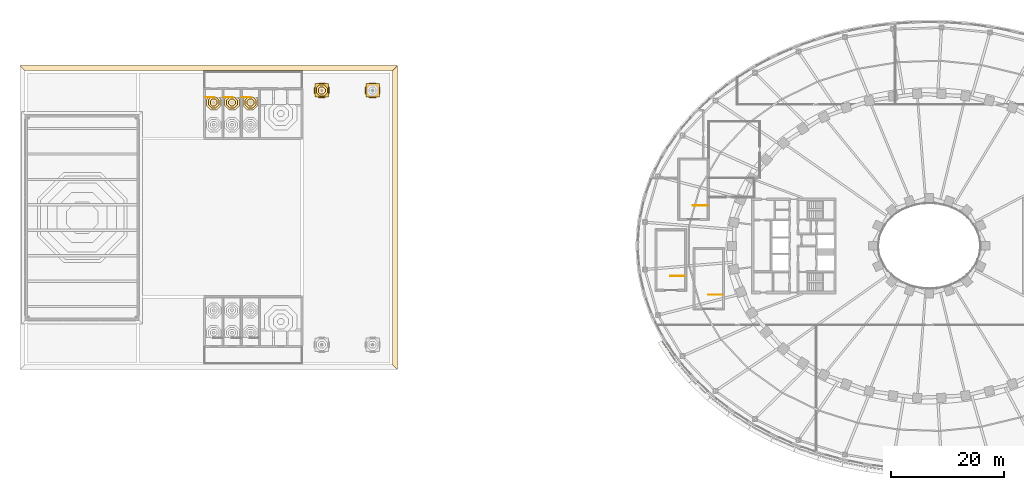
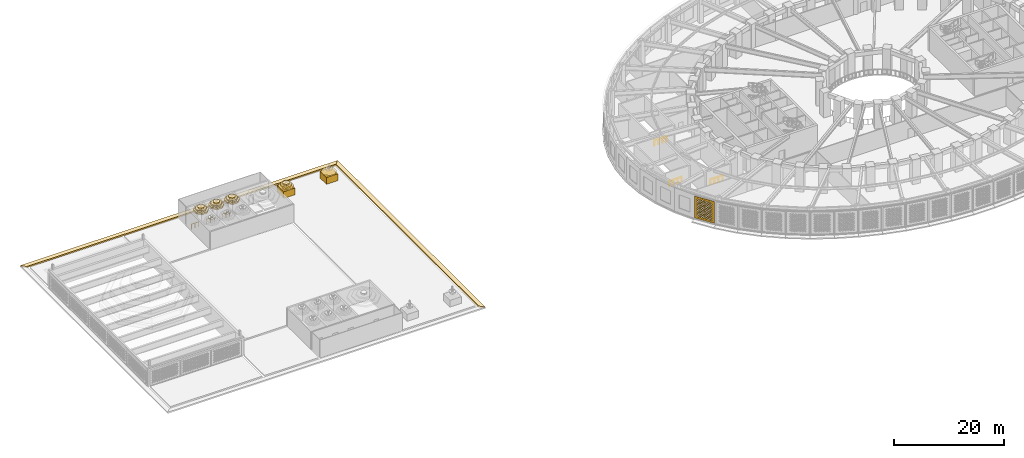
# One storey, part 39 of 63: 18 coverings, 6 railings.
"""IFC4 building model written with IfcOpenShell, lengths in metres."""

from ifc_helpers import new_model, si_unit, direction, frame, origin, origin_2d, place, context, subcontext, project, spatial, polyline, rectangle, outline, extrude, material, layer, layer_set, type_object, element, save


model = new_model("IFC4")

# Units and contexts
model_context = context("Model", 3, precision=1e-05, world=origin(), true_north=direction((0.0, 1.0)))
body_context = subcontext(model_context, "Body", "Model", "MODEL_VIEW")
ifc_project = project(units=[si_unit("LENGTHUNIT", "METRE"), si_unit("AREAUNIT", "SQUARE_METRE"), si_unit("VOLUMEUNIT", "CUBIC_METRE"), si_unit("PLANEANGLEUNIT", "RADIAN"), si_unit("MASSUNIT", "GRAM", prefix="KILO")], contexts=[model_context])

# Site, building, storey
site_placement = place(None, origin())
site = spatial("IfcSite", under=ifc_project, at=site_placement, CompositionType="ELEMENT")
building_placement = place(site_placement, origin())
building = spatial("IfcBuilding", under=site, at=building_placement, Name="Noorbagh Ring Tower", CompositionType="ELEMENT")
storey_placement = place(building_placement, frame((0.0, 0.0, 25.0)))
storey = spatial("IfcBuildingStorey", under=building, at=storey_placement, Name="L04", CompositionType="ELEMENT", Elevation=25.0)

# Railings
ifc_material_1 = material(Name="Stainless steel", Category="steel")
railing_type_1 = type_object("IfcRailingType", Name="GND-STAIR-GUARD", PredefinedType="GUARDRAIL", material=ifc_material_1)
for number, where, name in (
    (1, (-36.550048828125, -8.64990234375, 0.0), "L04 ST-P1 top well guard"),
    (2, (-43.25, -5.35009765625, 0.0), "L04 ST-P3 top well guard"),
    (3, (-39.25, 7.14990234375, 0.0), "L04 ST-P7 top well guard"),
):
    element("IfcRailing", number, at=place(storey_placement, frame(where)), inside=storey, type_object=railing_type_1, Name=name, PredefinedType="GUARDRAIL", context=body_context, shape_type="SweptSolid", body=[
        extrude(rectangle(XDim=0.048095703125, YDim=0.048095703125, at=origin_2d()), frame((0.0, 0.0, 1.076171875), z_axis=(-1.0, 0.0, 0.0), x_axis=(0.0, -1.0, 0.0)), (0.0, 0.0, 1.0), 2.550048828125),
        extrude(rectangle(XDim=0.0419921875, YDim=0.0419921875, at=origin_2d()), origin(), (0.0, 0.0, 1.0), 1.052001953125),
        extrude(rectangle(XDim=0.0419921875, YDim=0.0419921875, at=origin_2d()), frame((-0.85009765625, 0.0, 0.0)), (0.0, 0.0, 1.0), 1.052001953125),
        extrude(rectangle(XDim=0.0419921875, YDim=0.0419921875, at=origin_2d()), frame((-1.699951171875, 0.0, 0.0)), (0.0, 0.0, 1.0), 1.052001953125),
        extrude(rectangle(XDim=0.0419921875, YDim=0.0419921875, at=origin_2d()), frame((-2.550048828125, 0.0, 0.0)), (0.0, 0.0, 1.0), 1.052001953125),
    ])

# Coverings
ifc_material_2 = material(Name="Red sandstone eave", Category="masonry")
covering_type_1 = type_object("IfcCoveringType", Name="STH-CHHAJJA", PredefinedType="USERDEFINED", material=ifc_material_2)
covering_1_placement = place(storey_placement, frame((0.0, 0.0, -0.300048828125)))
element("IfcCovering", 4, at=covering_1_placement, inside=storey, type_object=covering_type_1, Name="Chhajja eave at the roof edge", ObjectType="CHHAJJA", PredefinedType="USERDEFINED", context=body_context, shape_type="SweptSolid", body=[
    extrude(outline(polyline([(-95.0, -21.0), (-95.0, 31.0), (-94.10009765625, 31.89990234375), (-94.10009765625, -21.89990234375), (-95.0, -21.0)])), origin(), (0.0, 0.0, 1.0), 0.300048828125),
])
covering_2_placement = place(storey_placement, frame((0.0, 0.0, -0.300048828125)))
element("IfcCovering", 5, at=covering_2_placement, inside=storey, type_object=covering_type_1, Name="Chhajja eave at the roof edge", ObjectType="CHHAJJA", PredefinedType="USERDEFINED", context=body_context, shape_type="SweptSolid", body=[
    extrude(outline(polyline([(-95.0, 31.0), (-160.0, 31.0), (-160.89990234375, 31.89990234375), (-94.10009765625, 31.89990234375), (-95.0, 31.0)])), origin(), (0.0, 0.0, 1.0), 0.300048828125),
])
ifc_material_3 = material(Name="Cream sandstone dome cladding", Category="masonry")
ifc_layer_1 = layer(ifc_material_3, 0.300048828125)
ifc_layer_set_1 = layer_set([ifc_layer_1], Name="Cream sandstone dome cladding")
covering_type_2 = type_object("IfcCoveringType", Name="STH-DOME", PredefinedType="ROOFING", material=ifc_layer_set_1)
covering_3_placement = place(storey_placement, frame((0.0, 0.0, 4.199951171875)))
element("IfcCovering", 6, at=covering_3_placement, inside=storey, type_object=covering_type_2, Name="Dome over the stair head", PredefinedType="ROOFING", context=body_context, shape_type="SweptSolid", body=[
    extrude(outline(polyline([(-125.30859375, 25.92529296875), (-126.07958984375, 26.696533203125), (-127.17041015625, 26.696533203125), (-127.94140625, 25.92529296875), (-127.94140625, 24.834716796875), (-127.17041015625, 24.0634765625), (-126.07958984375, 24.0634765625), (-125.30859375, 24.834716796875), (-125.30859375, 25.92529296875)])), origin(), (0.0, 0.0, 1.0), 0.320068359375),
])
covering_4_placement = place(storey_placement, frame((0.0, 0.0, 4.52001953125)))
element("IfcCovering", 7, at=covering_4_placement, inside=storey, type_object=covering_type_2, Name="Dome over the stair head", PredefinedType="ROOFING", context=body_context, shape_type="SweptSolid", body=[
    extrude(outline(polyline([(-125.663818359375, 25.778076171875), (-126.226806640625, 26.341064453125), (-127.023193359375, 26.341064453125), (-127.586181640625, 25.778076171875), (-127.586181640625, 24.98193359375), (-127.023193359375, 24.4189453125), (-126.226806640625, 24.4189453125), (-125.663818359375, 24.98193359375), (-125.663818359375, 25.778076171875)])), origin(), (0.0, 0.0, 1.0), 0.320068359375),
])
covering_5_placement = place(storey_placement, frame((0.0, 0.0, 4.840087890625)))
element("IfcCovering", 8, at=covering_5_placement, inside=storey, type_object=covering_type_2, Name="Dome over the stair head", PredefinedType="ROOFING", context=body_context, shape_type="SweptSolid", body=[
    extrude(outline(polyline([(-126.019287109375, 25.630859375), (-126.374267578125, 25.985595703125), (-126.875732421875, 25.985595703125), (-127.230712890625, 25.630859375), (-127.230712890625, 25.129150390625), (-126.875732421875, 24.7744140625), (-126.374267578125, 24.7744140625), (-126.019287109375, 25.129150390625), (-126.019287109375, 25.630859375)])), origin(), (0.0, 0.0, 1.0), 0.31982421875),
])
covering_6_placement = place(storey_placement, frame((0.0, 0.0, 4.199951171875)))
element("IfcCovering", 9, at=covering_6_placement, inside=storey, type_object=covering_type_2, Name="Dome over the stair head", PredefinedType="ROOFING", context=body_context, shape_type="SweptSolid", body=[
    extrude(outline(polyline([(-122.05859375, 25.92529296875), (-122.82958984375, 26.696533203125), (-123.92041015625, 26.696533203125), (-124.69140625, 25.92529296875), (-124.69140625, 24.834716796875), (-123.92041015625, 24.0634765625), (-122.82958984375, 24.0634765625), (-122.05859375, 24.834716796875), (-122.05859375, 25.92529296875)])), origin(), (0.0, 0.0, 1.0), 0.320068359375),
])
covering_7_placement = place(storey_placement, frame((0.0, 0.0, 4.52001953125)))
element("IfcCovering", 10, at=covering_7_placement, inside=storey, type_object=covering_type_2, Name="Dome over the stair head", PredefinedType="ROOFING", context=body_context, shape_type="SweptSolid", body=[
    extrude(outline(polyline([(-122.413818359375, 25.778076171875), (-122.976806640625, 26.341064453125), (-123.773193359375, 26.341064453125), (-124.336181640625, 25.778076171875), (-124.336181640625, 24.98193359375), (-123.773193359375, 24.4189453125), (-122.976806640625, 24.4189453125), (-122.413818359375, 24.98193359375), (-122.413818359375, 25.778076171875)])), origin(), (0.0, 0.0, 1.0), 0.320068359375),
])
covering_8_placement = place(storey_placement, frame((0.0, 0.0, 4.840087890625)))
element("IfcCovering", 11, at=covering_8_placement, inside=storey, type_object=covering_type_2, Name="Dome over the stair head", PredefinedType="ROOFING", context=body_context, shape_type="SweptSolid", body=[
    extrude(outline(polyline([(-122.769287109375, 25.630859375), (-123.124267578125, 25.985595703125), (-123.625732421875, 25.985595703125), (-123.980712890625, 25.630859375), (-123.980712890625, 25.129150390625), (-123.625732421875, 24.7744140625), (-123.124267578125, 24.7744140625), (-122.769287109375, 25.129150390625), (-122.769287109375, 25.630859375)])), origin(), (0.0, 0.0, 1.0), 0.31982421875),
])
covering_9_placement = place(storey_placement, frame((0.0, 0.0, 4.199951171875)))
element("IfcCovering", 12, at=covering_9_placement, inside=storey, type_object=covering_type_2, Name="Dome over the stair head", PredefinedType="ROOFING", context=body_context, shape_type="SweptSolid", body=[
    extrude(outline(polyline([(-118.80859375, 25.92529296875), (-119.57958984375, 26.696533203125), (-120.67041015625, 26.696533203125), (-121.44140625, 25.92529296875), (-121.44140625, 24.834716796875), (-120.67041015625, 24.0634765625), (-119.57958984375, 24.0634765625), (-118.80859375, 24.834716796875), (-118.80859375, 25.92529296875)])), origin(), (0.0, 0.0, 1.0), 0.320068359375),
])
covering_10_placement = place(storey_placement, frame((0.0, 0.0, 4.52001953125)))
element("IfcCovering", 13, at=covering_10_placement, inside=storey, type_object=covering_type_2, Name="Dome over the stair head", PredefinedType="ROOFING", context=body_context, shape_type="SweptSolid", body=[
    extrude(outline(polyline([(-119.163818359375, 25.778076171875), (-119.726806640625, 26.341064453125), (-120.523193359375, 26.341064453125), (-121.086181640625, 25.778076171875), (-121.086181640625, 24.98193359375), (-120.523193359375, 24.4189453125), (-119.726806640625, 24.4189453125), (-119.163818359375, 24.98193359375), (-119.163818359375, 25.778076171875)])), origin(), (0.0, 0.0, 1.0), 0.320068359375),
])
covering_11_placement = place(storey_placement, frame((0.0, 0.0, 4.840087890625)))
element("IfcCovering", 14, at=covering_11_placement, inside=storey, type_object=covering_type_2, Name="Dome over the stair head", PredefinedType="ROOFING", context=body_context, shape_type="SweptSolid", body=[
    extrude(outline(polyline([(-119.519287109375, 25.630859375), (-119.874267578125, 25.985595703125), (-120.375732421875, 25.985595703125), (-120.730712890625, 25.630859375), (-120.730712890625, 25.129150390625), (-120.375732421875, 24.7744140625), (-119.874267578125, 24.7744140625), (-119.519287109375, 25.129150390625), (-119.519287109375, 25.630859375)])), origin(), (0.0, 0.0, 1.0), 0.31982421875),
])
covering_12_placement = place(storey_placement, frame((0.0, 0.0, 1.5)))
element("IfcCovering", 15, at=covering_12_placement, inside=storey, type_object=covering_type_2, Name="Dome over the stair head", PredefinedType="ROOFING", context=body_context, shape_type="SweptSolid", body=[
    extrude(outline(polyline([(-97.160400390625, 28.054931640625), (-97.945068359375, 28.839599609375), (-99.054931640625, 28.839599609375), (-99.839599609375, 28.054931640625), (-99.839599609375, 26.945068359375), (-99.054931640625, 26.160400390625), (-97.945068359375, 26.160400390625), (-97.160400390625, 26.945068359375), (-97.160400390625, 28.054931640625)])), origin(), (0.0, 0.0, 1.0), 0.320068359375),
])
covering_13_placement = place(storey_placement, frame((0.0, 0.0, 1.5)))
element("IfcCovering", 16, at=covering_13_placement, inside=storey, type_object=covering_type_2, Name="Dome over the stair head", PredefinedType="ROOFING", context=body_context, shape_type="SweptSolid", body=[
    extrude(outline(polyline([(-106.160400390625, 28.054931640625), (-106.945068359375, 28.839599609375), (-108.054931640625, 28.839599609375), (-108.839599609375, 28.054931640625), (-108.839599609375, 26.945068359375), (-108.054931640625, 26.160400390625), (-106.945068359375, 26.160400390625), (-106.160400390625, 26.945068359375), (-106.160400390625, 28.054931640625)])), origin(), (0.0, 0.0, 1.0), 0.320068359375),
])
covering_14_placement = place(storey_placement, frame((0.0, 0.0, 1.820068359375)))
element("IfcCovering", 17, at=covering_14_placement, inside=storey, type_object=covering_type_2, Name="Dome over the stair head", PredefinedType="ROOFING", context=body_context, shape_type="SweptSolid", body=[
    extrude(outline(polyline([(-106.522216796875, 27.905029296875), (-107.094970703125, 28.477783203125), (-107.905029296875, 28.477783203125), (-108.477783203125, 27.905029296875), (-108.477783203125, 27.094970703125), (-107.905029296875, 26.522216796875), (-107.094970703125, 26.522216796875), (-106.522216796875, 27.094970703125), (-106.522216796875, 27.905029296875)])), origin(), (0.0, 0.0, 1.0), 0.31982421875),
])
covering_15_placement = place(storey_placement, frame((0.0, 0.0, 2.139892578125)))
element("IfcCovering", 18, at=covering_15_placement, inside=storey, type_object=covering_type_2, Name="Dome over the stair head", PredefinedType="ROOFING", context=body_context, shape_type="SweptSolid", body=[
    extrude(outline(polyline([(-106.8837890625, 27.755126953125), (-107.244873046875, 28.1162109375), (-107.755126953125, 28.1162109375), (-108.1162109375, 27.755126953125), (-108.1162109375, 27.244873046875), (-107.755126953125, 26.8837890625), (-107.244873046875, 26.8837890625), (-106.8837890625, 27.244873046875), (-106.8837890625, 27.755126953125)])), origin(), (0.0, 0.0, 1.0), 0.320068359375),
])
ifc_material_4 = material(Name="Red sandstone cladding", Category="masonry")
ifc_layer_2 = layer(ifc_material_4, 0.199951171875)
ifc_layer_set_2 = layer_set([ifc_layer_2], Name="Red sandstone cladding")
covering_type_3 = type_object("IfcCoveringType", Name="STH-KIOSK", PredefinedType="CLADDING", material=ifc_layer_set_2)
covering_16_placement = place(storey_placement, origin())
element("IfcCovering", 19, at=covering_16_placement, inside=storey, type_object=covering_type_3, Name="Roof kiosk", ObjectType="KIOSK", PredefinedType="CLADDING", context=body_context, shape_type="SweptSolid", body=[
    extrude(outline(polyline([(-99.699951171875, 26.300048828125), (-97.300048828125, 26.300048828125), (-97.300048828125, 28.699951171875), (-99.699951171875, 28.699951171875), (-99.699951171875, 26.300048828125)])), origin(), (0.0, 0.0, 1.0), 1.5),
])
covering_17_placement = place(storey_placement, origin())
element("IfcCovering", 20, at=covering_17_placement, inside=storey, type_object=covering_type_3, Name="Roof kiosk", ObjectType="KIOSK", PredefinedType="CLADDING", context=body_context, shape_type="SweptSolid", body=[
    extrude(outline(polyline([(-108.699951171875, 26.300048828125), (-106.300048828125, 26.300048828125), (-106.300048828125, 28.699951171875), (-108.699951171875, 28.699951171875), (-108.699951171875, 26.300048828125)])), origin(), (0.0, 0.0, 1.0), 1.5),
])
ifc_material_5 = material(Name="Red sandstone jali", Category="masonry")
ifc_layer_3 = layer(ifc_material_5, 0.0400390625)
ifc_layer_set_3 = layer_set([ifc_layer_3], Name="Red sandstone jali")
covering_type_4 = type_object("IfcCoveringType", Name="STY-JALI", PredefinedType="USERDEFINED", material=ifc_layer_set_3)
covering_18_placement = place(storey_placement, frame((-47.31591796875, -16.9443359375, 0.449951171875), z_axis=(-0.826637007867, -0.562735512675, 0.0), x_axis=(0.562735512675, -0.826637007867, 0.0)))
element("IfcCovering", 21, at=covering_18_placement, inside=storey, type_object=covering_type_4, Name="Jali screen", ObjectType="SCREEN", PredefinedType="USERDEFINED", context=body_context, shape_type="SweptSolid", body=[
    extrude(outline(polyline([(0.0, 0.0), (4.095458984375, 0.0), (4.095458984375, 4.85009765625), (0.0, 4.85009765625), (0.0, 0.0)]), holes=[polyline([(0.74267578125, 0.550048828125), (0.922607421875, 0.3701171875), (1.102783203125, 0.550048828125), (0.922607421875, 0.72998046875), (0.74267578125, 0.550048828125)]), polyline([(1.24267578125, 0.550048828125), (1.422607421875, 0.3701171875), (1.602783203125, 0.550048828125), (1.422607421875, 0.72998046875), (1.24267578125, 0.550048828125)]), polyline([(1.74267578125, 0.550048828125), (1.922607421875, 0.3701171875), (2.102783203125, 0.550048828125), (1.922607421875, 0.72998046875), (1.74267578125, 0.550048828125)]), polyline([(2.24267578125, 0.550048828125), (2.422607421875, 0.3701171875), (2.602783203125, 0.550048828125), (2.422607421875, 0.72998046875), (2.24267578125, 0.550048828125)]), polyline([(2.74267578125, 0.550048828125), (2.922607421875, 0.3701171875), (3.102783203125, 0.550048828125), (2.922607421875, 0.72998046875), (2.74267578125, 0.550048828125)]), polyline([(3.24267578125, 0.550048828125), (3.422607421875, 0.3701171875), (3.602783203125, 0.550048828125), (3.422607421875, 0.72998046875), (3.24267578125, 0.550048828125)]), polyline([(0.49267578125, 0.800048828125), (0.672607421875, 0.6201171875), (0.852783203125, 0.800048828125), (0.672607421875, 0.97998046875), (0.49267578125, 0.800048828125)]), polyline([(0.99267578125, 0.800048828125), (1.172607421875, 0.6201171875), (1.352783203125, 0.800048828125), (1.172607421875, 0.97998046875), (0.99267578125, 0.800048828125)]), polyline([(1.49267578125, 0.800048828125), (1.672607421875, 0.6201171875), (1.852783203125, 0.800048828125), (1.672607421875, 0.97998046875), (1.49267578125, 0.800048828125)]), polyline([(1.99267578125, 0.800048828125), (2.172607421875, 0.6201171875), (2.352783203125, 0.800048828125), (2.172607421875, 0.97998046875), (1.99267578125, 0.800048828125)]), polyline([(2.49267578125, 0.800048828125), (2.672607421875, 0.6201171875), (2.852783203125, 0.800048828125), (2.672607421875, 0.97998046875), (2.49267578125, 0.800048828125)]), polyline([(2.99267578125, 0.800048828125), (3.172607421875, 0.6201171875), (3.352783203125, 0.800048828125), (3.172607421875, 0.97998046875), (2.99267578125, 0.800048828125)]), polyline([(0.74267578125, 1.050048828125), (0.922607421875, 0.8701171875), (1.102783203125, 1.050048828125), (0.922607421875, 1.22998046875), (0.74267578125, 1.050048828125)]), polyline([(1.24267578125, 1.050048828125), (1.422607421875, 0.8701171875), (1.602783203125, 1.050048828125), (1.422607421875, 1.22998046875), (1.24267578125, 1.050048828125)]), polyline([(1.74267578125, 1.050048828125), (1.922607421875, 0.8701171875), (2.102783203125, 1.050048828125), (1.922607421875, 1.22998046875), (1.74267578125, 1.050048828125)]), polyline([(2.24267578125, 1.050048828125), (2.422607421875, 0.8701171875), (2.602783203125, 1.050048828125), (2.422607421875, 1.22998046875), (2.24267578125, 1.050048828125)]), polyline([(2.74267578125, 1.050048828125), (2.922607421875, 0.8701171875), (3.102783203125, 1.050048828125), (2.922607421875, 1.22998046875), (2.74267578125, 1.050048828125)]), polyline([(3.24267578125, 1.050048828125), (3.422607421875, 0.8701171875), (3.602783203125, 1.050048828125), (3.422607421875, 1.22998046875), (3.24267578125, 1.050048828125)]), polyline([(0.49267578125, 1.300048828125), (0.672607421875, 1.1201171875), (0.852783203125, 1.300048828125), (0.672607421875, 1.47998046875), (0.49267578125, 1.300048828125)]), polyline([(0.99267578125, 1.300048828125), (1.172607421875, 1.1201171875), (1.352783203125, 1.300048828125), (1.172607421875, 1.47998046875), (0.99267578125, 1.300048828125)]), polyline([(1.49267578125, 1.300048828125), (1.672607421875, 1.1201171875), (1.852783203125, 1.300048828125), (1.672607421875, 1.47998046875), (1.49267578125, 1.300048828125)]), polyline([(1.99267578125, 1.300048828125), (2.172607421875, 1.1201171875), (2.352783203125, 1.300048828125), (2.172607421875, 1.47998046875), (1.99267578125, 1.300048828125)]), polyline([(2.49267578125, 1.300048828125), (2.672607421875, 1.1201171875), (2.852783203125, 1.300048828125), (2.672607421875, 1.47998046875), (2.49267578125, 1.300048828125)]), polyline([(2.99267578125, 1.300048828125), (3.172607421875, 1.1201171875), (3.352783203125, 1.300048828125), (3.172607421875, 1.47998046875), (2.99267578125, 1.300048828125)]), polyline([(0.74267578125, 1.550048828125), (0.922607421875, 1.3701171875), (1.102783203125, 1.550048828125), (0.922607421875, 1.72998046875), (0.74267578125, 1.550048828125)]), polyline([(1.24267578125, 1.550048828125), (1.422607421875, 1.3701171875), (1.602783203125, 1.550048828125), (1.422607421875, 1.72998046875), (1.24267578125, 1.550048828125)]), polyline([(1.74267578125, 1.550048828125), (1.922607421875, 1.3701171875), (2.102783203125, 1.550048828125), (1.922607421875, 1.72998046875), (1.74267578125, 1.550048828125)]), polyline([(2.24267578125, 1.550048828125), (2.422607421875, 1.3701171875), (2.602783203125, 1.550048828125), (2.422607421875, 1.72998046875), (2.24267578125, 1.550048828125)]), polyline([(2.74267578125, 1.550048828125), (2.922607421875, 1.3701171875), (3.102783203125, 1.550048828125), (2.922607421875, 1.72998046875), (2.74267578125, 1.550048828125)]), polyline([(3.24267578125, 1.550048828125), (3.422607421875, 1.3701171875), (3.602783203125, 1.550048828125), (3.422607421875, 1.72998046875), (3.24267578125, 1.550048828125)]), polyline([(0.49267578125, 1.800048828125), (0.672607421875, 1.6201171875), (0.852783203125, 1.800048828125), (0.672607421875, 1.97998046875), (0.49267578125, 1.800048828125)]), polyline([(0.99267578125, 1.800048828125), (1.172607421875, 1.6201171875), (1.352783203125, 1.800048828125), (1.172607421875, 1.97998046875), (0.99267578125, 1.800048828125)]), polyline([(1.49267578125, 1.800048828125), (1.672607421875, 1.6201171875), (1.852783203125, 1.800048828125), (1.672607421875, 1.97998046875), (1.49267578125, 1.800048828125)]), polyline([(1.99267578125, 1.800048828125), (2.172607421875, 1.6201171875), (2.352783203125, 1.800048828125), (2.172607421875, 1.97998046875), (1.99267578125, 1.800048828125)]), polyline([(2.49267578125, 1.800048828125), (2.672607421875, 1.6201171875), (2.852783203125, 1.800048828125), (2.672607421875, 1.97998046875), (2.49267578125, 1.800048828125)]), polyline([(2.99267578125, 1.800048828125), (3.172607421875, 1.6201171875), (3.352783203125, 1.800048828125), (3.172607421875, 1.97998046875), (2.99267578125, 1.800048828125)]), polyline([(0.74267578125, 2.050048828125), (0.922607421875, 1.8701171875), (1.102783203125, 2.050048828125), (0.922607421875, 2.22998046875), (0.74267578125, 2.050048828125)]), polyline([(1.24267578125, 2.050048828125), (1.422607421875, 1.8701171875), (1.602783203125, 2.050048828125), (1.422607421875, 2.22998046875), (1.24267578125, 2.050048828125)]), polyline([(1.74267578125, 2.050048828125), (1.922607421875, 1.8701171875), (2.102783203125, 2.050048828125), (1.922607421875, 2.22998046875), (1.74267578125, 2.050048828125)]), polyline([(2.24267578125, 2.050048828125), (2.422607421875, 1.8701171875), (2.602783203125, 2.050048828125), (2.422607421875, 2.22998046875), (2.24267578125, 2.050048828125)]), polyline([(2.74267578125, 2.050048828125), (2.922607421875, 1.8701171875), (3.102783203125, 2.050048828125), (2.922607421875, 2.22998046875), (2.74267578125, 2.050048828125)]), polyline([(3.24267578125, 2.050048828125), (3.422607421875, 1.8701171875), (3.602783203125, 2.050048828125), (3.422607421875, 2.22998046875), (3.24267578125, 2.050048828125)]), polyline([(0.49267578125, 2.300048828125), (0.672607421875, 2.1201171875), (0.852783203125, 2.300048828125), (0.672607421875, 2.47998046875), (0.49267578125, 2.300048828125)]), polyline([(0.99267578125, 2.300048828125), (1.172607421875, 2.1201171875), (1.352783203125, 2.300048828125), (1.172607421875, 2.47998046875), (0.99267578125, 2.300048828125)]), polyline([(1.49267578125, 2.300048828125), (1.672607421875, 2.1201171875), (1.852783203125, 2.300048828125), (1.672607421875, 2.47998046875), (1.49267578125, 2.300048828125)]), polyline([(1.99267578125, 2.300048828125), (2.172607421875, 2.1201171875), (2.352783203125, 2.300048828125), (2.172607421875, 2.47998046875), (1.99267578125, 2.300048828125)]), polyline([(2.49267578125, 2.300048828125), (2.672607421875, 2.1201171875), (2.852783203125, 2.300048828125), (2.672607421875, 2.47998046875), (2.49267578125, 2.300048828125)]), polyline([(2.99267578125, 2.300048828125), (3.172607421875, 2.1201171875), (3.352783203125, 2.300048828125), (3.172607421875, 2.47998046875), (2.99267578125, 2.300048828125)]), polyline([(0.74267578125, 2.550048828125), (0.922607421875, 2.3701171875), (1.102783203125, 2.550048828125), (0.922607421875, 2.72998046875), (0.74267578125, 2.550048828125)]), polyline([(1.24267578125, 2.550048828125), (1.422607421875, 2.3701171875), (1.602783203125, 2.550048828125), (1.422607421875, 2.72998046875), (1.24267578125, 2.550048828125)]), polyline([(1.74267578125, 2.550048828125), (1.922607421875, 2.3701171875), (2.102783203125, 2.550048828125), (1.922607421875, 2.72998046875), (1.74267578125, 2.550048828125)]), polyline([(2.24267578125, 2.550048828125), (2.422607421875, 2.3701171875), (2.602783203125, 2.550048828125), (2.422607421875, 2.72998046875), (2.24267578125, 2.550048828125)]), polyline([(2.74267578125, 2.550048828125), (2.922607421875, 2.3701171875), (3.102783203125, 2.550048828125), (2.922607421875, 2.72998046875), (2.74267578125, 2.550048828125)]), polyline([(3.24267578125, 2.550048828125), (3.422607421875, 2.3701171875), (3.602783203125, 2.550048828125), (3.422607421875, 2.72998046875), (3.24267578125, 2.550048828125)]), polyline([(0.49267578125, 2.800048828125), (0.672607421875, 2.6201171875), (0.852783203125, 2.800048828125), (0.672607421875, 2.97998046875), (0.49267578125, 2.800048828125)]), polyline([(0.99267578125, 2.800048828125), (1.172607421875, 2.6201171875), (1.352783203125, 2.800048828125), (1.172607421875, 2.97998046875), (0.99267578125, 2.800048828125)]), polyline([(1.49267578125, 2.800048828125), (1.672607421875, 2.6201171875), (1.852783203125, 2.800048828125), (1.672607421875, 2.97998046875), (1.49267578125, 2.800048828125)]), polyline([(1.99267578125, 2.800048828125), (2.172607421875, 2.6201171875), (2.352783203125, 2.800048828125), (2.172607421875, 2.97998046875), (1.99267578125, 2.800048828125)]), polyline([(2.49267578125, 2.800048828125), (2.672607421875, 2.6201171875), (2.852783203125, 2.800048828125), (2.672607421875, 2.97998046875), (2.49267578125, 2.800048828125)]), polyline([(2.99267578125, 2.800048828125), (3.172607421875, 2.6201171875), (3.352783203125, 2.800048828125), (3.172607421875, 2.97998046875), (2.99267578125, 2.800048828125)]), polyline([(0.74267578125, 3.050048828125), (0.922607421875, 2.8701171875), (1.102783203125, 3.050048828125), (0.922607421875, 3.22998046875), (0.74267578125, 3.050048828125)]), polyline([(1.24267578125, 3.050048828125), (1.422607421875, 2.8701171875), (1.602783203125, 3.050048828125), (1.422607421875, 3.22998046875), (1.24267578125, 3.050048828125)]), polyline([(1.74267578125, 3.050048828125), (1.922607421875, 2.8701171875), (2.102783203125, 3.050048828125), (1.922607421875, 3.22998046875), (1.74267578125, 3.050048828125)]), polyline([(2.24267578125, 3.050048828125), (2.422607421875, 2.8701171875), (2.602783203125, 3.050048828125), (2.422607421875, 3.22998046875), (2.24267578125, 3.050048828125)]), polyline([(2.74267578125, 3.050048828125), (2.922607421875, 2.8701171875), (3.102783203125, 3.050048828125), (2.922607421875, 3.22998046875), (2.74267578125, 3.050048828125)]), polyline([(3.24267578125, 3.050048828125), (3.422607421875, 2.8701171875), (3.602783203125, 3.050048828125), (3.422607421875, 3.22998046875), (3.24267578125, 3.050048828125)]), polyline([(0.49267578125, 3.300048828125), (0.672607421875, 3.1201171875), (0.852783203125, 3.300048828125), (0.672607421875, 3.47998046875), (0.49267578125, 3.300048828125)]), polyline([(0.99267578125, 3.300048828125), (1.172607421875, 3.1201171875), (1.352783203125, 3.300048828125), (1.172607421875, 3.47998046875), (0.99267578125, 3.300048828125)]), polyline([(1.49267578125, 3.300048828125), (1.672607421875, 3.1201171875), (1.852783203125, 3.300048828125), (1.672607421875, 3.47998046875), (1.49267578125, 3.300048828125)]), polyline([(1.99267578125, 3.300048828125), (2.172607421875, 3.1201171875), (2.352783203125, 3.300048828125), (2.172607421875, 3.47998046875), (1.99267578125, 3.300048828125)]), polyline([(2.49267578125, 3.300048828125), (2.672607421875, 3.1201171875), (2.852783203125, 3.300048828125), (2.672607421875, 3.47998046875), (2.49267578125, 3.300048828125)]), polyline([(2.99267578125, 3.300048828125), (3.172607421875, 3.1201171875), (3.352783203125, 3.300048828125), (3.172607421875, 3.47998046875), (2.99267578125, 3.300048828125)]), polyline([(0.74267578125, 3.550048828125), (0.922607421875, 3.3701171875), (1.102783203125, 3.550048828125), (0.922607421875, 3.72998046875), (0.74267578125, 3.550048828125)]), polyline([(1.24267578125, 3.550048828125), (1.422607421875, 3.3701171875), (1.602783203125, 3.550048828125), (1.422607421875, 3.72998046875), (1.24267578125, 3.550048828125)]), polyline([(1.74267578125, 3.550048828125), (1.922607421875, 3.3701171875), (2.102783203125, 3.550048828125), (1.922607421875, 3.72998046875), (1.74267578125, 3.550048828125)]), polyline([(2.24267578125, 3.550048828125), (2.422607421875, 3.3701171875), (2.602783203125, 3.550048828125), (2.422607421875, 3.72998046875), (2.24267578125, 3.550048828125)]), polyline([(2.74267578125, 3.550048828125), (2.922607421875, 3.3701171875), (3.102783203125, 3.550048828125), (2.922607421875, 3.72998046875), (2.74267578125, 3.550048828125)]), polyline([(3.24267578125, 3.550048828125), (3.422607421875, 3.3701171875), (3.602783203125, 3.550048828125), (3.422607421875, 3.72998046875), (3.24267578125, 3.550048828125)]), polyline([(0.49267578125, 3.800048828125), (0.672607421875, 3.6201171875), (0.852783203125, 3.800048828125), (0.672607421875, 3.97998046875), (0.49267578125, 3.800048828125)]), polyline([(0.99267578125, 3.800048828125), (1.172607421875, 3.6201171875), (1.352783203125, 3.800048828125), (1.172607421875, 3.97998046875), (0.99267578125, 3.800048828125)]), polyline([(1.49267578125, 3.800048828125), (1.672607421875, 3.6201171875), (1.852783203125, 3.800048828125), (1.672607421875, 3.97998046875), (1.49267578125, 3.800048828125)]), polyline([(1.99267578125, 3.800048828125), (2.172607421875, 3.6201171875), (2.352783203125, 3.800048828125), (2.172607421875, 3.97998046875), (1.99267578125, 3.800048828125)]), polyline([(2.49267578125, 3.800048828125), (2.672607421875, 3.6201171875), (2.852783203125, 3.800048828125), (2.672607421875, 3.97998046875), (2.49267578125, 3.800048828125)]), polyline([(2.99267578125, 3.800048828125), (3.172607421875, 3.6201171875), (3.352783203125, 3.800048828125), (3.172607421875, 3.97998046875), (2.99267578125, 3.800048828125)]), polyline([(0.74267578125, 4.050048828125), (0.922607421875, 3.8701171875), (1.102783203125, 4.050048828125), (0.922607421875, 4.22998046875), (0.74267578125, 4.050048828125)]), polyline([(1.24267578125, 4.050048828125), (1.422607421875, 3.8701171875), (1.602783203125, 4.050048828125), (1.422607421875, 4.22998046875), (1.24267578125, 4.050048828125)]), polyline([(1.74267578125, 4.050048828125), (1.922607421875, 3.8701171875), (2.102783203125, 4.050048828125), (1.922607421875, 4.22998046875), (1.74267578125, 4.050048828125)]), polyline([(2.24267578125, 4.050048828125), (2.422607421875, 3.8701171875), (2.602783203125, 4.050048828125), (2.422607421875, 4.22998046875), (2.24267578125, 4.050048828125)]), polyline([(2.74267578125, 4.050048828125), (2.922607421875, 3.8701171875), (3.102783203125, 4.050048828125), (2.922607421875, 4.22998046875), (2.74267578125, 4.050048828125)]), polyline([(3.24267578125, 4.050048828125), (3.422607421875, 3.8701171875), (3.602783203125, 4.050048828125), (3.422607421875, 4.22998046875), (3.24267578125, 4.050048828125)]), polyline([(0.49267578125, 4.300048828125), (0.672607421875, 4.1201171875), (0.852783203125, 4.300048828125), (0.672607421875, 4.47998046875), (0.49267578125, 4.300048828125)]), polyline([(0.99267578125, 4.300048828125), (1.172607421875, 4.1201171875), (1.352783203125, 4.300048828125), (1.172607421875, 4.47998046875), (0.99267578125, 4.300048828125)]), polyline([(1.49267578125, 4.300048828125), (1.672607421875, 4.1201171875), (1.852783203125, 4.300048828125), (1.672607421875, 4.47998046875), (1.49267578125, 4.300048828125)]), polyline([(1.99267578125, 4.300048828125), (2.172607421875, 4.1201171875), (2.352783203125, 4.300048828125), (2.172607421875, 4.47998046875), (1.99267578125, 4.300048828125)]), polyline([(2.49267578125, 4.300048828125), (2.672607421875, 4.1201171875), (2.852783203125, 4.300048828125), (2.672607421875, 4.47998046875), (2.49267578125, 4.300048828125)]), polyline([(2.99267578125, 4.300048828125), (3.172607421875, 4.1201171875), (3.352783203125, 4.300048828125), (3.172607421875, 4.47998046875), (2.99267578125, 4.300048828125)])]), origin(), (0.0, 0.0, -1.0), 0.0400390625),
])

# Railings
ifc_material_6 = material(Name="Stainless steel", Category="steel")
railing_type_2 = type_object("IfcRailingType", Name="TH-STAIR-GUARD", PredefinedType="GUARDRAIL", material=ifc_material_6)
for number, where, name in (
    (22, (-124.85009765625, 26.300048828125, 0.0), "L04 TSN1 top well guard 1"),
    (23, (-121.60009765625, 26.300048828125, 0.0), "L04 TSN2 top well guard 1"),
    (24, (-128.10009765625, 26.300048828125, 0.0), "L04 TSN3 top well guard 1"),
):
    element("IfcRailing", number, at=place(storey_placement, frame(where)), inside=storey, type_object=railing_type_2, Name=name, PredefinedType="GUARDRAIL", context=body_context, shape_type="SweptSolid", body=[
        extrude(rectangle(XDim=0.048095703125, YDim=0.048095703125, at=origin_2d()), frame((0.0, 0.0, 1.076171875), z_axis=(1.0, 0.0, 0.0), x_axis=(0.0, 1.0, 0.0)), (0.0, 0.0, 1.0), 1.550048828125),
        extrude(rectangle(XDim=0.0419921875, YDim=0.0419921875, at=origin_2d()), origin(), (0.0, 0.0, 1.0), 1.052001953125),
        extrude(rectangle(XDim=0.0419921875, YDim=0.0419921875, at=origin_2d()), frame((0.77490234375, 0.0, 0.0)), (0.0, 0.0, 1.0), 1.052001953125),
        extrude(rectangle(XDim=0.0419921875, YDim=0.0419921875, at=origin_2d()), frame((1.550048828125, 0.0, 0.0)), (0.0, 0.0, 1.0), 1.052001953125),
    ])

save(model, "model.ifc")
